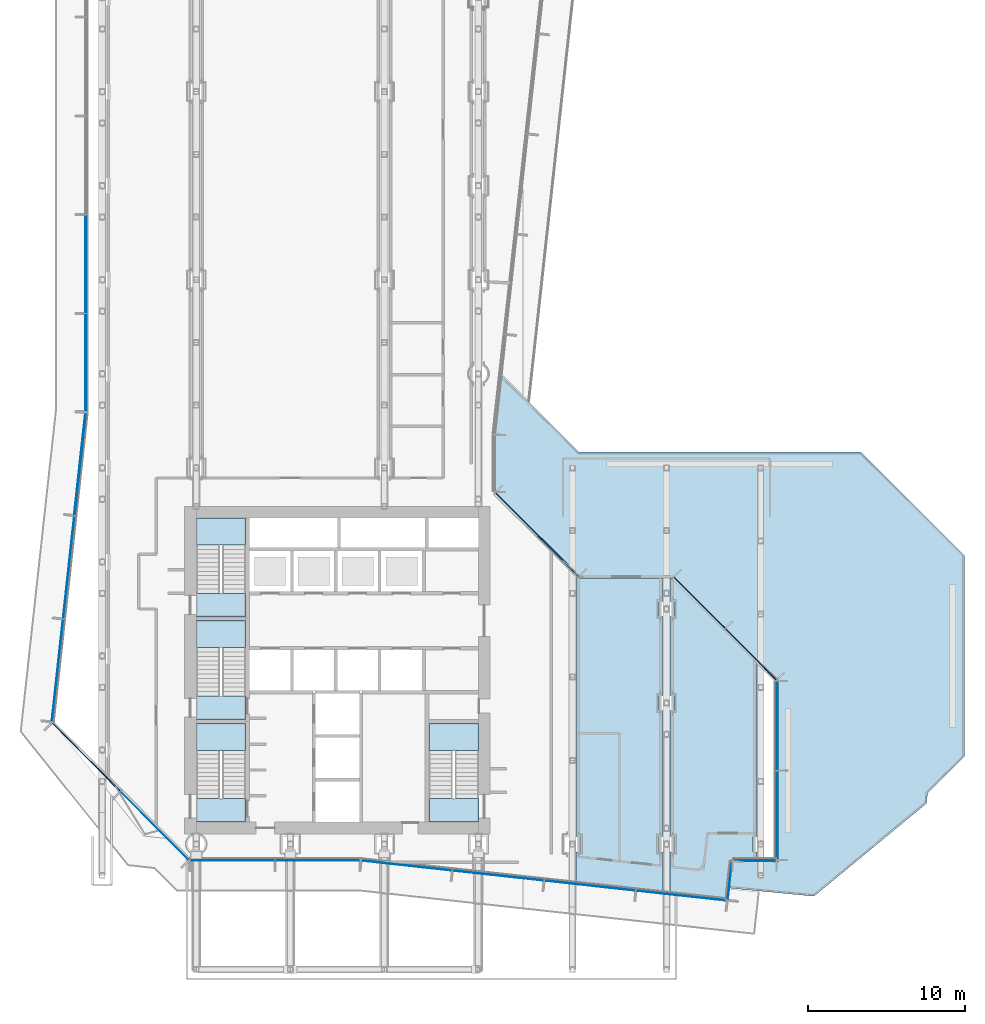
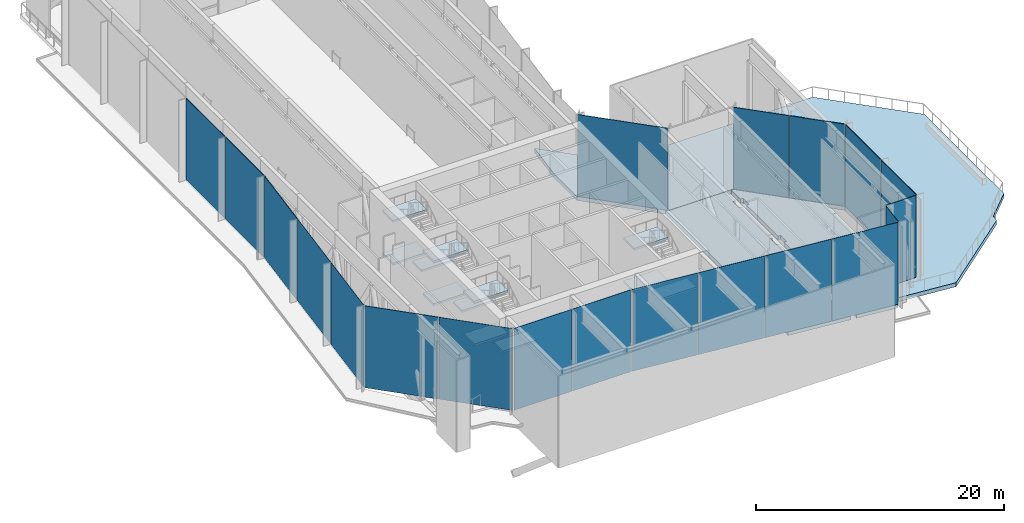
# One storey, part 11 of 24: 20 plates, 15 slabs, 14 elements without a shape of their own.
"""IFC4 building model written with IfcOpenShell, lengths in metres."""

from ifc_helpers import new_model, si_unit, direction, frame, origin, origin_2d, place, context, subcontext, project, spatial, polyline, rectangle, outline, extrude, material, layer, layer_set, type_object, element, aggregate, save


model = new_model("IFC4")

# Units and contexts
model_context = context("Model", 3, precision=1e-05, world=origin(), true_north=direction((0.0, 1.0)))
body_context = subcontext(model_context, "Body", "Model", "MODEL_VIEW")
ifc_project = project(units=[si_unit("LENGTHUNIT", "METRE"), si_unit("AREAUNIT", "SQUARE_METRE"), si_unit("VOLUMEUNIT", "CUBIC_METRE"), si_unit("PLANEANGLEUNIT", "RADIAN"), si_unit("MASSUNIT", "GRAM", prefix="KILO")], contexts=[model_context])

# Site, building, storey
site_placement = place(None, origin())
site = spatial("IfcSite", under=ifc_project, at=site_placement, CompositionType="ELEMENT")
building_placement = place(site_placement, origin())
building = spatial("IfcBuilding", under=site, at=building_placement, Name="Welwitschia Terrace Campus", CompositionType="ELEMENT")
storey_placement = place(building_placement, frame((0.0, 0.0, 138.199951171875)))
storey = spatial("IfcBuildingStorey", under=building, at=storey_placement, Name="L31", CompositionType="ELEMENT", Elevation=138.199951171875)

# Curtain wall, plate
ifc_material_1 = material(Name="Bronze anodised aluminium", Category="aluminium")
ifc_layer_1 = layer(ifc_material_1, 0.159912109375)
ifc_layer_set_1 = layer_set([ifc_layer_1], Name="Bronze anodised aluminium")
curtain_wall_type = type_object("IfcCurtainWallType", Name="Curtain wall CW3 commons 6000", PredefinedType="NOTDEFINED", material=ifc_layer_set_1)
curtain_wall_1_placement = place(storey_placement, origin())
curtain_wall_1 = element("IfcCurtainWall", 1, at=curtain_wall_1_placement, inside=storey, type_object=curtain_wall_type, Name="CW L31.0.0", PredefinedType="NOTDEFINED")
ifc_material_2 = material(Name="Tinted bronze-grey glass", Category="glass")
ifc_layer_2 = layer(ifc_material_2, 0.031982421875)
ifc_layer_set_2 = layer_set([ifc_layer_2], Name="Tinted bronze-grey glass")
plate_type_1 = type_object("IfcPlateType", Name="Glass panel 32 tinted", PredefinedType="CURTAIN_PANEL", material=ifc_layer_set_2)
plate_1_placement = place(storey_placement, frame((3.35498046875, 5.163818359375, 0.0), z_axis=(0.0, 0.0, 1.0), x_axis=(0.705668480018, -0.70854216269, 0.0)))
plate_1 = element("IfcPlate", 2, at=plate_1_placement, type_object=plate_type_1, Name="Panel L31.0.0.1", PredefinedType="CURTAIN_PANEL", context=body_context, shape_type="SweptSolid", body=[
    extrude(rectangle(XDim=6.128662109375, YDim=0.031982421875, at=origin_2d()), origin(), (0.0, 0.0, 1.0), 8.050048828125),
])

# Curtain wall, plates
curtain_wall_2_placement = place(storey_placement, origin())
curtain_wall_2 = element("IfcCurtainWall", 3, at=curtain_wall_2_placement, inside=storey, type_object=curtain_wall_type, Name="CW L31.1.0", PredefinedType="NOTDEFINED")
plate_2_placement = place(storey_placement, frame((8.305908203125, 2.949951171875, 0.0), z_axis=(0.0, 0.0, 1.0), x_axis=(1.0, 0.0, 0.0)))
plate_2 = element("IfcPlate", 4, at=plate_2_placement, type_object=plate_type_1, Name="Panel L31.1.0.0", PredefinedType="CURTAIN_PANEL", context=body_context, shape_type="SweptSolid", body=[
    extrude(rectangle(XDim=5.37255859375, YDim=0.031982421875, at=origin_2d()), origin(), (0.0, 0.0, 1.0), 8.050048828125),
])
plate_3_placement = place(storey_placement, frame((13.73828125, 2.949951171875, 0.0), z_axis=(0.0, 0.0, 1.0), x_axis=(1.0, 0.0, 0.0)))
plate_3 = element("IfcPlate", 5, at=plate_3_placement, type_object=plate_type_1, Name="Panel L31.1.0.1", PredefinedType="CURTAIN_PANEL", context=body_context, shape_type="SweptSolid", body=[
    extrude(rectangle(XDim=5.37255859375, YDim=0.031982421875, at=origin_2d()), origin(), (0.0, 0.0, 1.0), 8.050048828125),
])
aggregate(curtain_wall_2, [plate_2, plate_3])

curtain_wall_3_placement = place(storey_placement, origin())
curtain_wall_3 = element("IfcCurtainWall", 6, at=curtain_wall_3_placement, inside=storey, type_object=curtain_wall_type, Name="CW L31.2.0", PredefinedType="NOTDEFINED")
plate_4_placement = place(storey_placement, frame((19.426513671875, 2.627685546875, 0.0), z_axis=(0.0, 0.0, 1.0), x_axis=(0.994056338222, -0.108866874852, 0.0)))
plate_4 = element("IfcPlate", 7, at=plate_4_placement, type_object=plate_type_1, Name="Panel L31.2.0.0", PredefinedType="CURTAIN_PANEL", context=body_context, shape_type="SweptSolid", body=[
    extrude(rectangle(XDim=5.799072265625, YDim=0.031982421875, at=origin_2d()), origin(), (0.0, 0.0, 1.0), 8.050048828125),
])
plate_5_placement = place(storey_placement, frame((25.265625, 1.98828125, 0.0), z_axis=(0.0, 0.0, 1.0), x_axis=(0.994056338222, -0.108866874852, 0.0)))
plate_5 = element("IfcPlate", 8, at=plate_5_placement, type_object=plate_type_1, Name="Panel L31.2.0.1", PredefinedType="CURTAIN_PANEL", context=body_context, shape_type="SweptSolid", body=[
    extrude(rectangle(XDim=5.8291015625, YDim=0.031982421875, at=origin_2d()), origin(), (0.0, 0.0, 1.0), 8.050048828125),
])
plate_6_placement = place(storey_placement, frame((31.11962890625, 1.34716796875, 0.0), z_axis=(0.0, 0.0, 1.0), x_axis=(0.994056338222, -0.108866874852, 0.0)))
plate_6 = element("IfcPlate", 9, at=plate_6_placement, type_object=plate_type_1, Name="Panel L31.2.0.2", PredefinedType="CURTAIN_PANEL", context=body_context, shape_type="SweptSolid", body=[
    extrude(rectangle(XDim=5.8291015625, YDim=0.031982421875, at=origin_2d()), origin(), (0.0, 0.0, 1.0), 8.050048828125),
])
plate_7_placement = place(storey_placement, frame((36.958740234375, 0.707763671875, 0.0), z_axis=(0.0, 0.0, 1.0), x_axis=(0.994056338222, -0.108866874852, 0.0)))
plate_7 = element("IfcPlate", 10, at=plate_7_placement, type_object=plate_type_1, Name="Panel L31.2.0.3", PredefinedType="CURTAIN_PANEL", context=body_context, shape_type="SweptSolid", body=[
    extrude(rectangle(XDim=5.799072265625, YDim=0.031982421875, at=origin_2d()), origin(), (0.0, 0.0, 1.0), 8.050048828125),
])
aggregate(curtain_wall_3, [plate_4, plate_5, plate_6, plate_7])

# Curtain wall, plate
curtain_wall_4_placement = place(storey_placement, origin())
curtain_wall_4 = element("IfcCurtainWall", 11, at=curtain_wall_4_placement, inside=storey, type_object=curtain_wall_type, Name="CW L31.3.0", PredefinedType="NOTDEFINED")
plate_8_placement = place(storey_placement, frame((40.041259765625, 1.667724609375, 0.0), z_axis=(0.0, 0.0, 1.0), x_axis=(0.108866874852, 0.994056338222, 0.0)))
plate_8 = element("IfcPlate", 12, at=plate_8_placement, type_object=plate_type_1, Name="Panel L31.3.0.0", PredefinedType="CURTAIN_PANEL", context=body_context, shape_type="SweptSolid", body=[
    extrude(rectangle(XDim=2.459716796875, YDim=0.031982421875, at=origin_2d()), origin(), (0.0, 0.0, 1.0), 8.050048828125),
])
aggregate(curtain_wall_4, [plate_8])

# Curtain wall, plates
curtain_wall_5_placement = place(storey_placement, origin())
curtain_wall_5 = element("IfcCurtainWall", 13, at=curtain_wall_5_placement, inside=storey, type_object=curtain_wall_type, Name="CW L31.14.0", PredefinedType="NOTDEFINED")
plate_9_placement = place(storey_placement, frame((-2.133544921875, 21.6552734375, 0.0), z_axis=(0.0, 0.0, 1.0), x_axis=(-0.108866874852, -0.994056338222, 0.0)))
plate_9 = element("IfcPlate", 14, at=plate_9_placement, type_object=plate_type_1, Name="Panel L31.14.0.1", PredefinedType="CURTAIN_PANEL", context=body_context, shape_type="SweptSolid", body=[
    extrude(rectangle(XDim=6.57470703125, YDim=0.031982421875, at=origin_2d()), origin(), (0.0, 0.0, 1.0), 8.050048828125),
])
plate_10_placement = place(storey_placement, frame((-2.854248046875, 15.074951171875, 0.0), z_axis=(0.0, 0.0, 1.0), x_axis=(-0.108866874852, -0.994056338222, 0.0)))
plate_10 = element("IfcPlate", 15, at=plate_10_placement, type_object=plate_type_1, Name="Panel L31.14.0.2", PredefinedType="CURTAIN_PANEL", context=body_context, shape_type="SweptSolid", body=[
    extrude(rectangle(XDim=6.544677734375, YDim=0.031982421875, at=origin_2d()), origin(), (0.0, 0.0, 1.0), 8.050048828125),
])

# Plate
ifc_material_3 = material(Name="Bronze anodised insulated metal panel")
ifc_layer_3 = layer(ifc_material_3, 0.06005859375)
ifc_layer_set_3 = layer_set([ifc_layer_3], Name="Bronze anodised insulated metal panel")
plate_type_2 = type_object("IfcPlateType", Name="Insulated metal panel 60", PredefinedType="CURTAIN_PANEL", material=ifc_layer_set_3)
plate_11_placement = place(storey_placement, frame((-1.01220703125, 9.548583984375, 0.0), z_axis=(0.0, 0.0, 1.0), x_axis=(0.705668480018, -0.70854216269, 0.0)))
plate_11 = element("IfcPlate", 16, at=plate_11_placement, type_object=plate_type_2, Name="Panel L31.0.0.0", PredefinedType="CURTAIN_PANEL", context=body_context, shape_type="SweptSolid", body=[
    extrude(rectangle(XDim=6.128662109375, YDim=0.06005859375, at=origin_2d()), origin(), (0.0, 0.0, 1.0), 8.050048828125),
])

aggregate(curtain_wall_1, [plate_11, plate_1])

# Curtain wall, plate
curtain_wall_6_placement = place(storey_placement, origin())
curtain_wall_6 = element("IfcCurtainWall", 17, at=curtain_wall_6_placement, inside=storey, type_object=curtain_wall_type, Name="CW L31.4.0", PredefinedType="NOTDEFINED")
plate_12_placement = place(storey_placement, frame((41.61572265625, 2.949951171875, 0.0), z_axis=(0.0, 0.0, 1.0), x_axis=(1.0, 0.0, 0.0)))
plate_12 = element("IfcPlate", 18, at=plate_12_placement, type_object=plate_type_2, Name="Panel L31.4.0.0", PredefinedType="CURTAIN_PANEL", context=body_context, shape_type="SweptSolid", body=[
    extrude(rectangle(XDim=2.748291015625, YDim=0.06005859375, at=origin_2d()), origin(), (0.0, 0.0, 1.0), 8.050048828125),
])
aggregate(curtain_wall_6, [plate_12])

# Curtain wall, plates
curtain_wall_7_placement = place(storey_placement, origin())
curtain_wall_7 = element("IfcCurtainWall", 19, at=curtain_wall_7_placement, inside=storey, type_object=curtain_wall_type, Name="CW L31.5.0", PredefinedType="NOTDEFINED")
plate_13_placement = place(storey_placement, frame((43.050048828125, 5.836181640625, 0.0), z_axis=(0.0, 0.0, 1.0), x_axis=(0.0, 1.0, 0.0)))
plate_13 = element("IfcPlate", 20, at=plate_13_placement, type_object=plate_type_2, Name="Panel L31.5.0.0", PredefinedType="CURTAIN_PANEL", context=body_context, shape_type="SweptSolid", body=[
    extrude(rectangle(XDim=5.65234375, YDim=0.06005859375, at=origin_2d()), origin(), (0.0, 0.0, 1.0), 8.050048828125),
])
plate_14_placement = place(storey_placement, frame((43.050048828125, 11.548583984375, 0.0), z_axis=(0.0, 0.0, 1.0), x_axis=(0.0, 1.0, 0.0)))
plate_14 = element("IfcPlate", 21, at=plate_14_placement, type_object=plate_type_2, Name="Panel L31.5.0.1", PredefinedType="CURTAIN_PANEL", context=body_context, shape_type="SweptSolid", body=[
    extrude(rectangle(XDim=5.65234375, YDim=0.06005859375, at=origin_2d()), origin(), (0.0, 0.0, 1.0), 8.050048828125),
])
aggregate(curtain_wall_7, [plate_13, plate_14])

curtain_wall_8_placement = place(storey_placement, origin())
curtain_wall_8 = element("IfcCurtainWall", 22, at=curtain_wall_8_placement, inside=storey, type_object=curtain_wall_type, Name="CW L31.6.0", PredefinedType="NOTDEFINED")
plate_15_placement = place(storey_placement, frame((41.3857421875, 16.099365234375, 0.0), z_axis=(0.0, 0.0, 1.0), x_axis=(-0.707106781187, 0.707106781187, 0.0)))
plate_15 = element("IfcPlate", 23, at=plate_15_placement, type_object=plate_type_2, Name="Panel L31.6.0.0", PredefinedType="CURTAIN_PANEL", context=body_context, shape_type="SweptSolid", body=[
    extrude(rectangle(XDim=4.587646484375, YDim=0.06005859375, at=origin_2d()), origin(), (0.0, 0.0, 1.0), 8.050048828125),
])
plate_16_placement = place(storey_placement, frame((38.099365234375, 19.3857421875, 0.0), z_axis=(0.0, 0.0, 1.0), x_axis=(-0.707106781187, 0.707106781187, 0.0)))
plate_16 = element("IfcPlate", 24, at=plate_16_placement, type_object=plate_type_2, Name="Panel L31.6.0.1", PredefinedType="CURTAIN_PANEL", context=body_context, shape_type="SweptSolid", body=[
    extrude(rectangle(XDim=4.587646484375, YDim=0.06005859375, at=origin_2d()), origin(), (0.0, 0.0, 1.0), 8.050048828125),
])
aggregate(curtain_wall_8, [plate_15, plate_16])

# Curtain wall, plate
curtain_wall_9_placement = place(storey_placement, origin())
curtain_wall_9 = element("IfcCurtainWall", 25, at=curtain_wall_9_placement, inside=storey, type_object=curtain_wall_type, Name="CW L31.8.0", PredefinedType="NOTDEFINED")
plate_17_placement = place(storey_placement, frame((27.742431640625, 23.742431640625, 0.0), z_axis=(0.0, 0.0, 1.0), x_axis=(-0.707106781187, 0.707106781187, 0.0)))
plate_17 = element("IfcPlate", 26, at=plate_17_placement, type_object=plate_type_2, Name="Panel L31.8.0.0", PredefinedType="CURTAIN_PANEL", context=body_context, shape_type="SweptSolid", body=[
    extrude(rectangle(XDim=7.495361328125, YDim=0.06005859375, at=origin_2d()), origin(), (0.0, 0.0, 1.0), 8.050048828125),
])
aggregate(curtain_wall_9, [plate_17])

# Curtain wall, plates
curtain_wall_10_placement = place(storey_placement, origin())
curtain_wall_10 = element("IfcCurtainWall", 27, at=curtain_wall_10_placement, inside=storey, type_object=curtain_wall_type, Name="CW L31.13.0", PredefinedType="NOTDEFINED")
plate_18_placement = place(storey_placement, frame((-1.050048828125, 40.998779296875, 0.0), z_axis=(0.0, 0.0, 1.0), x_axis=(0.0, -1.0, 0.0)))
plate_18 = element("IfcPlate", 28, at=plate_18_placement, type_object=plate_type_2, Name="Panel L31.13.0.3", PredefinedType="CURTAIN_PANEL", context=body_context, shape_type="SweptSolid", body=[
    extrude(rectangle(XDim=6.240234375, YDim=0.06005859375, at=origin_2d()), origin(), (0.0, 0.0, 1.0), 8.050048828125),
])
plate_19_placement = place(storey_placement, frame((-1.050048828125, 34.71337890625, 0.0), z_axis=(0.0, 0.0, 1.0), x_axis=(0.0, -1.0, 0.0)))
plate_19 = element("IfcPlate", 29, at=plate_19_placement, type_object=plate_type_2, Name="Panel L31.13.0.4", PredefinedType="CURTAIN_PANEL", context=body_context, shape_type="SweptSolid", body=[
    extrude(rectangle(XDim=6.21044921875, YDim=0.06005859375, at=origin_2d()), origin(), (0.0, 0.0, 1.0), 8.050048828125),
])
aggregate(curtain_wall_10, [plate_18, plate_19])

# Plate
plate_20_placement = place(storey_placement, frame((-1.412841796875, 28.235595703125, 0.0), z_axis=(0.0, 0.0, 1.0), x_axis=(-0.108866874852, -0.994056338222, 0.0)))
plate_20 = element("IfcPlate", 30, at=plate_20_placement, type_object=plate_type_2, Name="Panel L31.14.0.0", PredefinedType="CURTAIN_PANEL", context=body_context, shape_type="SweptSolid", body=[
    extrude(rectangle(XDim=6.544677734375, YDim=0.06005859375, at=origin_2d()), origin(), (0.0, 0.0, 1.0), 8.050048828125),
])

aggregate(curtain_wall_5, [plate_20, plate_9, plate_10])

# Stair, slabs
ifc_material_4 = material(Name="Concrete C40/50", Category="concrete")
stair_type = type_object("IfcStairType", Name="Stair 48R 175 W1500", PredefinedType="HALF_TURN_STAIR", material=ifc_material_4)
stair_1_placement = place(storey_placement, origin())
stair_1 = element("IfcStair", 31, at=stair_1_placement, inside=storey, type_object=stair_type, Name="L31 Exit stair S1", PredefinedType="HALF_TURN_STAIR")
ifc_material_5 = material(Name="Concrete C40/50", Category="concrete")
ifc_layer_4 = layer(ifc_material_5, 0.199951171875)
ifc_layer_set_4 = layer_set([ifc_layer_4], Name="Concrete C40/50")
slab_type_1 = type_object("IfcSlabType", Name="Stair landing RC", PredefinedType="LANDING", material=ifc_layer_set_4)
slab_1_placement = place(storey_placement, frame((0.0, 0.0, 1.900146484375)))
slab_1 = element("IfcSlab", 32, at=slab_1_placement, type_object=slab_type_1, Name="S1 landing 1", PredefinedType="LANDING", context=body_context, shape_type="SweptSolid", body=[
    extrude(outline(polyline([(9.14990234375, 9.97998046875), (9.14990234375, 11.699951171875), (6.0, 11.699951171875), (6.0, 9.97998046875), (9.14990234375, 9.97998046875)])), origin(), (0.0, 0.0, 1.0), 0.199951171875),
])
slab_2_placement = place(storey_placement, frame((0.0, 0.0, 4.0)))
slab_2 = element("IfcSlab", 33, at=slab_2_placement, type_object=slab_type_1, Name="S1 landing 2", PredefinedType="LANDING", context=body_context, shape_type="SweptSolid", body=[
    extrude(outline(polyline([(9.14990234375, 5.39990234375), (9.14990234375, 6.89990234375), (6.0, 6.89990234375), (6.0, 5.39990234375), (9.14990234375, 5.39990234375)])), origin(), (0.0, 0.0, 1.0), 0.199951171875),
])
slab_3_placement = place(storey_placement, frame((0.0, 0.0, 6.10009765625)))
slab_3 = element("IfcSlab", 34, at=slab_3_placement, type_object=slab_type_1, Name="S1 landing 3", PredefinedType="LANDING", context=body_context, shape_type="SweptSolid", body=[
    extrude(outline(polyline([(9.14990234375, 9.97998046875), (9.14990234375, 11.699951171875), (6.0, 11.699951171875), (6.0, 9.97998046875), (9.14990234375, 9.97998046875)])), origin(), (0.0, 0.0, 1.0), 0.199951171875),
])
aggregate(stair_1, [slab_1, slab_2, slab_3])

stair_2_placement = place(storey_placement, origin())
stair_2 = element("IfcStair", 35, at=stair_2_placement, inside=storey, type_object=stair_type, Name="L31 Exit stair S3", PredefinedType="HALF_TURN_STAIR")
slab_4_placement = place(storey_placement, frame((0.0, 0.0, 1.900146484375)))
slab_4 = element("IfcSlab", 36, at=slab_4_placement, type_object=slab_type_1, Name="S3 landing 1", PredefinedType="LANDING", context=body_context, shape_type="SweptSolid", body=[
    extrude(outline(polyline([(9.14990234375, 16.530029296875), (9.14990234375, 18.25), (6.0, 18.25), (6.0, 16.530029296875), (9.14990234375, 16.530029296875)])), origin(), (0.0, 0.0, 1.0), 0.199951171875),
])
slab_5_placement = place(storey_placement, frame((0.0, 0.0, 4.0)))
slab_5 = element("IfcSlab", 37, at=slab_5_placement, type_object=slab_type_1, Name="S3 landing 2", PredefinedType="LANDING", context=body_context, shape_type="SweptSolid", body=[
    extrude(outline(polyline([(9.14990234375, 11.949951171875), (9.14990234375, 13.449951171875), (6.0, 13.449951171875), (6.0, 11.949951171875), (9.14990234375, 11.949951171875)])), origin(), (0.0, 0.0, 1.0), 0.199951171875),
])
slab_6_placement = place(storey_placement, frame((0.0, 0.0, 6.10009765625)))
slab_6 = element("IfcSlab", 38, at=slab_6_placement, type_object=slab_type_1, Name="S3 landing 3", PredefinedType="LANDING", context=body_context, shape_type="SweptSolid", body=[
    extrude(outline(polyline([(9.14990234375, 16.530029296875), (9.14990234375, 18.25), (6.0, 18.25), (6.0, 16.530029296875), (9.14990234375, 16.530029296875)])), origin(), (0.0, 0.0, 1.0), 0.199951171875),
])
aggregate(stair_2, [slab_4, slab_5, slab_6])

stair_3_placement = place(storey_placement, origin())
stair_3 = element("IfcStair", 39, at=stair_3_placement, inside=storey, type_object=stair_type, Name="L31 Exit stair S4", PredefinedType="HALF_TURN_STAIR")
slab_7_placement = place(storey_placement, frame((0.0, 0.0, 1.900146484375)))
slab_7 = element("IfcSlab", 40, at=slab_7_placement, type_object=slab_type_1, Name="S4 landing 1", PredefinedType="LANDING", context=body_context, shape_type="SweptSolid", body=[
    extrude(outline(polyline([(9.14990234375, 23.080078125), (9.14990234375, 24.800048828125), (6.0, 24.800048828125), (6.0, 23.080078125), (9.14990234375, 23.080078125)])), origin(), (0.0, 0.0, 1.0), 0.199951171875),
])
slab_8_placement = place(storey_placement, frame((0.0, 0.0, 4.0)))
slab_8 = element("IfcSlab", 41, at=slab_8_placement, type_object=slab_type_1, Name="S4 landing 2", PredefinedType="LANDING", context=body_context, shape_type="SweptSolid", body=[
    extrude(outline(polyline([(9.14990234375, 18.5), (9.14990234375, 20.0), (6.0, 20.0), (6.0, 18.5), (9.14990234375, 18.5)])), origin(), (0.0, 0.0, 1.0), 0.199951171875),
])
slab_9_placement = place(storey_placement, frame((0.0, 0.0, 6.10009765625)))
slab_9 = element("IfcSlab", 42, at=slab_9_placement, type_object=slab_type_1, Name="S4 landing 3", PredefinedType="LANDING", context=body_context, shape_type="SweptSolid", body=[
    extrude(outline(polyline([(9.14990234375, 23.080078125), (9.14990234375, 24.800048828125), (6.0, 24.800048828125), (6.0, 23.080078125), (9.14990234375, 23.080078125)])), origin(), (0.0, 0.0, 1.0), 0.199951171875),
])
aggregate(stair_3, [slab_7, slab_8, slab_9])

stair_4_placement = place(storey_placement, origin())
stair_4 = element("IfcStair", 43, at=stair_4_placement, inside=storey, type_object=stair_type, Name="L31 Exit stair S2", PredefinedType="HALF_TURN_STAIR")
slab_10_placement = place(storey_placement, frame((0.0, 0.0, 1.900146484375)))
slab_10 = element("IfcSlab", 44, at=slab_10_placement, type_object=slab_type_1, Name="S2 landing 1", PredefinedType="LANDING", context=body_context, shape_type="SweptSolid", body=[
    extrude(outline(polyline([(24.0, 9.97998046875), (24.0, 11.699951171875), (20.85009765625, 11.699951171875), (20.85009765625, 9.97998046875), (24.0, 9.97998046875)])), origin(), (0.0, 0.0, 1.0), 0.199951171875),
])
slab_11_placement = place(storey_placement, frame((0.0, 0.0, 4.0)))
slab_11 = element("IfcSlab", 45, at=slab_11_placement, type_object=slab_type_1, Name="S2 landing 2", PredefinedType="LANDING", context=body_context, shape_type="SweptSolid", body=[
    extrude(outline(polyline([(24.0, 5.39990234375), (24.0, 6.89990234375), (20.85009765625, 6.89990234375), (20.85009765625, 5.39990234375), (24.0, 5.39990234375)])), origin(), (0.0, 0.0, 1.0), 0.199951171875),
])
slab_12_placement = place(storey_placement, frame((0.0, 0.0, 6.10009765625)))
slab_12 = element("IfcSlab", 46, at=slab_12_placement, type_object=slab_type_1, Name="S2 landing 3", PredefinedType="LANDING", context=body_context, shape_type="SweptSolid", body=[
    extrude(outline(polyline([(24.0, 9.97998046875), (24.0, 11.699951171875), (20.85009765625, 11.699951171875), (20.85009765625, 9.97998046875), (24.0, 9.97998046875)])), origin(), (0.0, 0.0, 1.0), 0.199951171875),
])
aggregate(stair_4, [slab_10, slab_11, slab_12])

# Slabs
ifc_material_6 = material(Name="Concrete C40/50", Category="concrete")
ifc_layer_5 = layer(ifc_material_6, 0.39990234375)
ifc_layer_set_5 = layer_set([ifc_layer_5], Name="Concrete C40/50")
slab_type_2 = type_object("IfcSlabType", Name="Suspended floor slab 400", PredefinedType="FLOOR", material=ifc_layer_set_5)
slab_13_placement = place(storey_placement, frame((0.0, 0.0, -0.39990234375)))
element("IfcSlab", 47, at=slab_13_placement, inside=storey, type_object=slab_type_2, Name="Floor slab L31", PredefinedType="FLOOR", context=body_context, shape_type="SweptSolid", body=[
    extrude(outline(polyline([(30.235107421875, 3.5), (30.5, 3.5), (30.5, 4.5), (30.235107421875, 4.5), (30.235107421875, 21.157958984375), (30.403564453125, 20.989501953125), (30.40478515625, 20.988525390625), (30.40576171875, 20.987548828125), (30.4072265625, 20.98681640625), (30.408447265625, 20.986083984375), (30.409912109375, 20.985595703125), (30.411376953125, 20.9853515625), (30.412841796875, 20.985107421875), (30.414306640625, 20.985107421875), (35.764892578125, 20.985107421875), (35.764892578125, 19.47509765625), (35.52490234375, 19.47509765625), (35.52490234375, 18.52490234375), (35.764892578125, 18.52490234375), (35.764892578125, 13.47509765625), (35.52490234375, 13.47509765625), (35.52490234375, 12.52490234375), (35.764892578125, 12.52490234375), (35.764892578125, 4.5), (35.5, 4.5), (35.5, 3.5), (35.764892578125, 3.5), (35.764892578125, 0.888671875), (30.235107421875, 1.494384765625), (30.235107421875, 3.5)])), origin(), (0.0, 0.0, 1.0), 0.39990234375),
])
slab_14_placement = place(storey_placement, frame((0.0, 0.0, -0.39990234375)))
element("IfcSlab", 48, at=slab_14_placement, inside=storey, type_object=slab_type_2, Name="Floor slab L31", PredefinedType="FLOOR", context=body_context, shape_type="SweptSolid", body=[
    extrude(outline(polyline([(39.8564453125, 0.440673828125), (36.235107421875, 0.837158203125), (36.235107421875, 3.5), (36.5, 3.5), (36.5, 4.5), (36.235107421875, 4.5), (36.235107421875, 12.52490234375), (36.47509765625, 12.52490234375), (36.47509765625, 13.47509765625), (36.235107421875, 13.47509765625), (36.235107421875, 18.52490234375), (36.47509765625, 18.52490234375), (36.47509765625, 19.47509765625), (36.235107421875, 19.47509765625), (36.235107421875, 20.985107421875), (36.407958984375, 20.985107421875), (41.75439453125, 15.638671875), (41.754638671875, 15.638671875), (41.75146484375, 15.646484375), (41.764892578125, 15.646484375), (41.764892578125, 4.5), (41.5, 4.5), (41.5, 3.5), (41.764892578125, 3.5), (41.764892578125, 3.014892578125), (40.136962890625, 3.014892578125), (40.135498046875, 3.014892578125), (40.134033203125, 3.0146484375), (40.132568359375, 3.014404296875), (40.131103515625, 3.013916015625), (40.1298828125, 3.01318359375), (40.128662109375, 3.012451171875), (40.12744140625, 3.01171875), (40.126220703125, 3.0107421875), (40.125244140625, 3.009521484375), (40.12451171875, 3.008544921875), (40.123779296875, 3.007080078125), (40.123046875, 3.005859375), (40.12255859375, 3.00439453125), (40.1220703125, 3.003173828125), (40.121826171875, 3.001708984375), (39.92431640625, 1.197998046875), (39.939208984375, 1.196533203125), (39.8564453125, 0.440673828125)])), origin(), (0.0, 0.0, 1.0), 0.39990234375),
])
ifc_material_7 = material(Name="Concrete C40/50", Category="concrete")
ifc_layer_6 = layer(ifc_material_7, 0.39990234375)
ifc_layer_set_6 = layer_set([ifc_layer_6], Name="Concrete C40/50")
slab_type_3 = type_object("IfcSlabType", Name="Terrace slab 400", PredefinedType="FLOOR", material=ifc_layer_set_6)
slab_15_placement = place(storey_placement, frame((0.0, 0.0, -0.39990234375)))
element("IfcSlab", 49, at=slab_15_placement, inside=storey, type_object=slab_type_3, Name="Terrace slab", PredefinedType="FLOOR", context=body_context, shape_type="SweptSolid", body=[
    extrude(outline(polyline([(30.414306640625, 29.0), (48.414306640625, 29.0), (55.0, 22.414306640625), (55.0, 9.585693359375), (52.6513671875, 7.2373046875), (52.58984375, 6.5966796875), (45.403076171875, 0.67236328125), (39.954345703125, 1.197021484375), (40.150390625, 2.985107421875), (41.764892578125, 2.985107421875), (41.766357421875, 2.985107421875), (41.767822265625, 2.9853515625), (41.769287109375, 2.985595703125), (41.770751953125, 2.986083984375), (41.77197265625, 2.98681640625), (41.7734375, 2.987548828125), (41.7744140625, 2.988525390625), (41.775634765625, 2.989501953125), (41.776611328125, 2.990478515625), (41.777587890625, 2.99169921875), (41.7783203125, 2.992919921875), (41.77880859375, 2.994140625), (41.779296875, 2.99560546875), (41.77978515625, 2.9970703125), (41.780029296875, 2.99853515625), (41.780029296875, 3.0), (43.0, 3.0), (43.0, 14.414306640625), (41.767822265625, 15.646484375), (41.780029296875, 15.646484375), (41.780029296875, 15.649169921875), (41.780029296875, 15.650634765625), (41.77978515625, 15.652099609375), (41.779296875, 15.653564453125), (41.77880859375, 15.655029296875), (41.7783203125, 15.65625), (41.777587890625, 15.657470703125), (41.776611328125, 15.65869140625), (41.775634765625, 15.659912109375), (36.4248046875, 21.010498046875), (36.423828125, 21.011474609375), (36.422607421875, 21.012451171875), (36.42138671875, 21.01318359375), (36.419921875, 21.013916015625), (36.41845703125, 21.014404296875), (36.417236328125, 21.0146484375), (36.415771484375, 21.014892578125), (36.414306640625, 21.014892578125), (36.235107421875, 21.014892578125), (36.233642578125, 21.014892578125), (36.232177734375, 21.0146484375), (36.230712890625, 21.014404296875), (36.229248046875, 21.013916015625), (36.22802734375, 21.01318359375), (36.2265625, 21.012451171875), (36.2255859375, 21.011474609375), (36.224365234375, 21.010498046875), (36.223388671875, 21.009521484375), (36.222412109375, 21.00830078125), (36.2216796875, 21.007080078125), (36.22119140625, 21.005859375), (36.220703125, 21.00439453125), (36.22021484375, 21.0029296875), (36.219970703125, 21.00146484375), (36.219970703125, 21.0), (35.780029296875, 21.0), (35.780029296875, 21.00146484375), (35.77978515625, 21.0029296875), (35.779296875, 21.00439453125), (35.77880859375, 21.005859375), (35.7783203125, 21.007080078125), (35.777587890625, 21.00830078125), (35.776611328125, 21.009521484375), (35.775634765625, 21.010498046875), (35.7744140625, 21.011474609375), (35.7734375, 21.012451171875), (35.77197265625, 21.01318359375), (35.770751953125, 21.013916015625), (35.769287109375, 21.014404296875), (35.767822265625, 21.0146484375), (35.766357421875, 21.014892578125), (35.764892578125, 21.014892578125), (30.42041015625, 21.014892578125), (30.24560546875, 21.18994140625), (30.24462890625, 21.19091796875), (30.243408203125, 21.191650390625), (30.2421875, 21.1923828125), (30.24072265625, 21.193115234375), (30.2392578125, 21.193603515625), (30.238037109375, 21.19384765625), (30.236572265625, 21.194091796875), (30.235107421875, 21.194091796875), (30.233642578125, 21.194091796875), (30.232177734375, 21.19384765625), (30.230712890625, 21.193603515625), (30.229248046875, 21.193115234375), (30.22802734375, 21.1923828125), (30.2265625, 21.191650390625), (30.2255859375, 21.19091796875), (30.224365234375, 21.18994140625), (29.767822265625, 21.646484375), (29.780029296875, 21.646484375), (29.780029296875, 21.649169921875), (29.780029296875, 21.650634765625), (29.77978515625, 21.652099609375), (29.779296875, 21.653564453125), (29.77880859375, 21.655029296875), (29.7783203125, 21.65625), (29.777587890625, 21.657470703125), (29.776611328125, 21.65869140625), (29.775634765625, 21.659912109375), (25.014892578125, 26.42041015625), (25.014892578125, 30.125244140625), (25.436767578125, 33.977294921875), (30.414306640625, 29.0)])), origin(), (0.0, 0.0, 1.0), 0.39990234375),
])

save(model, "model.ifc")
